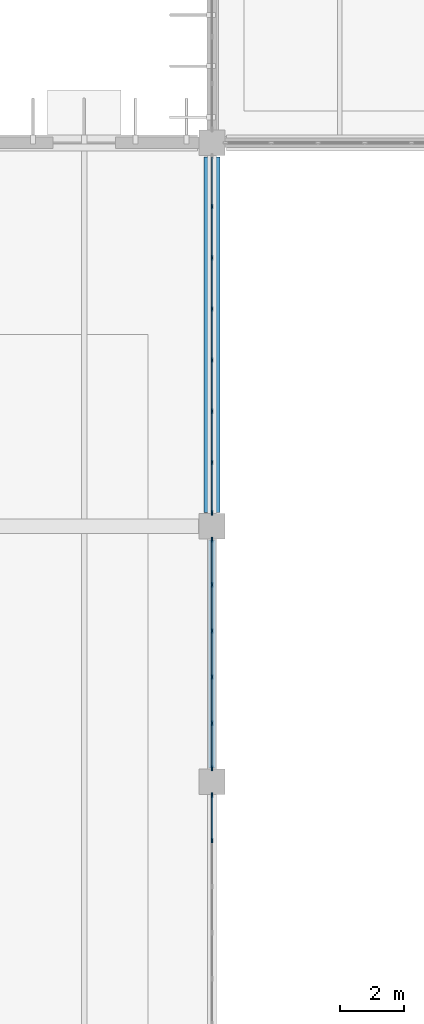
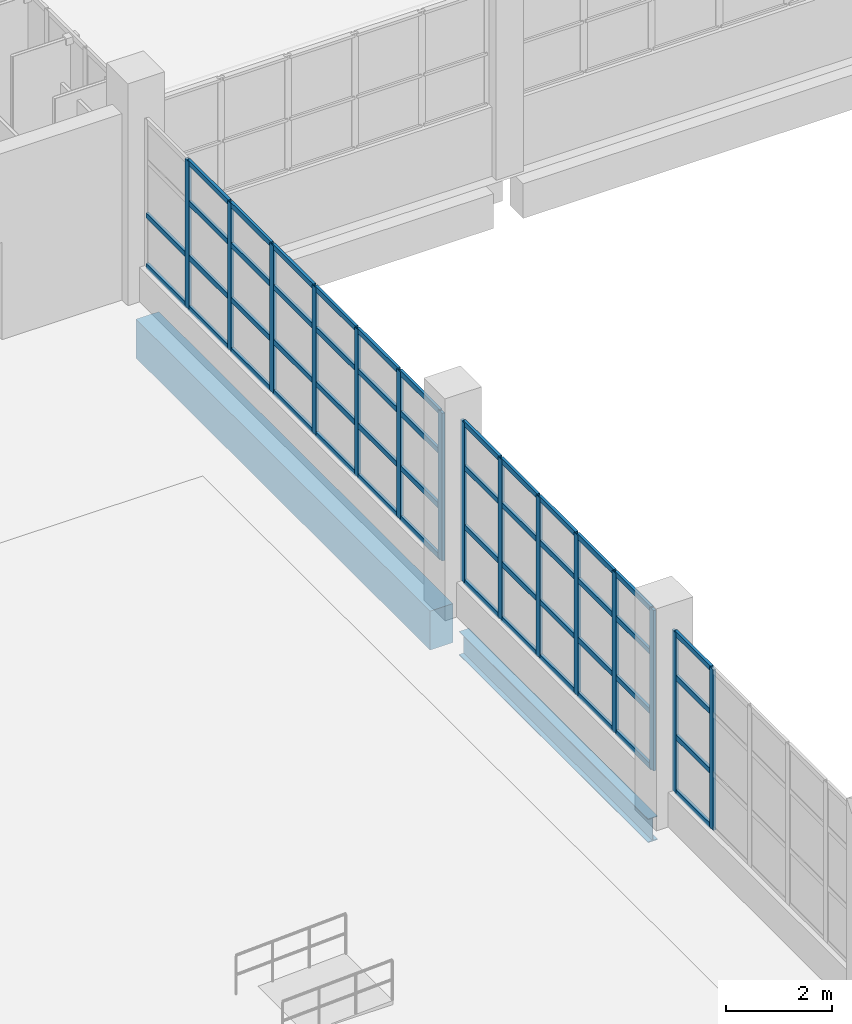
# One storey, part 33 of 103: 65 members, 2 beams, 3 elements without a shape of their own.
"""IFC4 building model written with IfcOpenShell, lengths in metres."""

from ifc_helpers import new_model, si_unit, direction, frame, origin, origin_2d, place, context, subcontext, project, spatial, rectangle, i_section, extrude, material, layer, layer_set, material_profile, profile_set, type_object, element, aggregate, save


model = new_model("IFC4")

# Units and contexts
model_context = context("Model", 3, precision=1e-05, world=origin(), true_north=direction((0.0, 1.0)))
body_context = subcontext(model_context, "Body", "Model", "MODEL_VIEW")
ifc_project = project(units=[si_unit("LENGTHUNIT", "METRE"), si_unit("AREAUNIT", "SQUARE_METRE"), si_unit("VOLUMEUNIT", "CUBIC_METRE"), si_unit("PLANEANGLEUNIT", "RADIAN"), si_unit("MASSUNIT", "GRAM", prefix="KILO")], contexts=[model_context])

# Site, building, storey
site_placement = place(None, origin())
site = spatial("IfcSite", under=ifc_project, at=site_placement, CompositionType="ELEMENT")
building_placement = place(site_placement, origin())
building = spatial("IfcBuilding", under=site, at=building_placement, Name="Drelvana Railside Aquatics Centre", CompositionType="ELEMENT")
storey_placement = place(building_placement, origin())
storey = spatial("IfcBuildingStorey", under=building, at=storey_placement, Name="L00", CompositionType="ELEMENT", Elevation=0.0)

# Curtain wall, members
ifc_material_1 = material(Name="Bronze-anodised aluminium curtain wall", Category="aluminium")
ifc_layer = layer(ifc_material_1, 0.1650390625, Name="Bronze-anodised aluminium curtain wall")
ifc_layer_set = layer_set([ifc_layer], Name="Bronze-anodised aluminium curtain wall")
curtain_wall_type = type_object("IfcCurtainWallType", Name="CW-Z5-COURT", PredefinedType="NOTDEFINED", material=ifc_layer_set)
curtain_wall_1_placement = place(storey_placement, origin())
curtain_wall_1 = element("IfcCurtainWall", 1, at=curtain_wall_1_placement, inside=storey, type_object=curtain_wall_type, Name="Curtain wall CW-05-070", PredefinedType="NOTDEFINED")
ifc_material_2 = material(Name="Bronze-anodised aluminium 6063-T6", Category="aluminium")
ifc_material_profile_1 = material_profile(ifc_material_2, rectangle(XDim=0.06005859375, YDim=0.14990234375, at=origin_2d()), Name="ALU-M 60x150")
ifc_profile_set_1 = profile_set([ifc_material_profile_1], Name="Bronze-anodised aluminium 6063-T6")
member_type_1 = type_object("IfcMemberType", Name="CW-Z5-COURT-MUL", PredefinedType="MULLION", material=ifc_profile_set_1)
member_1_placement = place(storey_placement, frame((96.0, 62.16357421875, 0.7939453125), z_axis=(0.0, 0.0, 1.0), x_axis=(-1.0, 0.0, 0.0)))
member_1 = element("IfcMember", 2, at=member_1_placement, type_object=member_type_1, Name="CW-05 mullion 5", PredefinedType="MULLION", context=body_context, shape_type="SweptSolid", body=[
    extrude(rectangle(XDim=0.06005859375, YDim=0.14990234375, at=origin_2d()), origin(), (0.0, 0.0, 1.0), 3.7060546875),
])
member_2_placement = place(storey_placement, frame((96.0, 63.575927734375, 0.7939453125), z_axis=(0.0, 0.0, 1.0), x_axis=(-1.0, 0.0, 0.0)))
member_2 = element("IfcMember", 3, at=member_2_placement, type_object=member_type_1, Name="CW-05 mullion 6", PredefinedType="MULLION", context=body_context, shape_type="SweptSolid", body=[
    extrude(rectangle(XDim=0.06005859375, YDim=0.14990234375, at=origin_2d()), origin(), (0.0, 0.0, 1.0), 3.7060546875),
])

curtain_wall_2_placement = place(storey_placement, origin())
curtain_wall_2 = element("IfcCurtainWall", 4, at=curtain_wall_2_placement, inside=storey, type_object=curtain_wall_type, Name="Curtain wall CW-05-074", PredefinedType="NOTDEFINED")
member_3_placement = place(storey_placement, frame((96.0, 64.424072265625, 0.7939453125), z_axis=(0.0, 0.0, 1.0), x_axis=(-1.0, 0.0, 0.0)))
member_3 = element("IfcMember", 5, at=member_3_placement, type_object=member_type_1, Name="CW-05 mullion 1", PredefinedType="MULLION", context=body_context, shape_type="SweptSolid", body=[
    extrude(rectangle(XDim=0.06005859375, YDim=0.14990234375, at=origin_2d()), origin(), (0.0, 0.0, 1.0), 3.7060546875),
])
member_4_placement = place(storey_placement, frame((96.0, 65.83642578125, 0.7939453125), z_axis=(0.0, 0.0, 1.0), x_axis=(-1.0, 0.0, 0.0)))
member_4 = element("IfcMember", 6, at=member_4_placement, type_object=member_type_1, Name="CW-05 mullion 2", PredefinedType="MULLION", context=body_context, shape_type="SweptSolid", body=[
    extrude(rectangle(XDim=0.06005859375, YDim=0.14990234375, at=origin_2d()), origin(), (0.0, 0.0, 1.0), 3.7060546875),
])
member_5_placement = place(storey_placement, frame((96.0, 67.27880859375, 0.7939453125), z_axis=(0.0, 0.0, 1.0), x_axis=(-1.0, 0.0, 0.0)))
member_5 = element("IfcMember", 7, at=member_5_placement, type_object=member_type_1, Name="CW-05 mullion 3", PredefinedType="MULLION", context=body_context, shape_type="SweptSolid", body=[
    extrude(rectangle(XDim=0.06005859375, YDim=0.14990234375, at=origin_2d()), origin(), (0.0, 0.0, 1.0), 3.7060546875),
])
member_6_placement = place(storey_placement, frame((96.0, 68.72119140625, 0.7939453125), z_axis=(0.0, 0.0, 1.0), x_axis=(-1.0, 0.0, 0.0)))
member_6 = element("IfcMember", 8, at=member_6_placement, type_object=member_type_1, Name="CW-05 mullion 4", PredefinedType="MULLION", context=body_context, shape_type="SweptSolid", body=[
    extrude(rectangle(XDim=0.06005859375, YDim=0.14990234375, at=origin_2d()), origin(), (0.0, 0.0, 1.0), 3.7060546875),
])
member_7_placement = place(storey_placement, frame((96.0, 70.16357421875, 0.7939453125), z_axis=(0.0, 0.0, 1.0), x_axis=(-1.0, 0.0, 0.0)))
member_7 = element("IfcMember", 9, at=member_7_placement, type_object=member_type_1, Name="CW-05 mullion 5", PredefinedType="MULLION", context=body_context, shape_type="SweptSolid", body=[
    extrude(rectangle(XDim=0.06005859375, YDim=0.14990234375, at=origin_2d()), origin(), (0.0, 0.0, 1.0), 3.7060546875),
])
member_8_placement = place(storey_placement, frame((96.0, 71.575927734375, 0.7939453125), z_axis=(0.0, 0.0, 1.0), x_axis=(-1.0, 0.0, 0.0)))
member_8 = element("IfcMember", 10, at=member_8_placement, type_object=member_type_1, Name="CW-05 mullion 6", PredefinedType="MULLION", context=body_context, shape_type="SweptSolid", body=[
    extrude(rectangle(XDim=0.06005859375, YDim=0.14990234375, at=origin_2d()), origin(), (0.0, 0.0, 1.0), 3.7060546875),
])

curtain_wall_3_placement = place(storey_placement, origin())
curtain_wall_3 = element("IfcCurtainWall", 11, at=curtain_wall_3_placement, inside=storey, type_object=curtain_wall_type, Name="Curtain wall CW-05-078", PredefinedType="NOTDEFINED")
member_9_placement = place(storey_placement, frame((96.0, 72.424072265625, 0.7939453125), z_axis=(0.0, 0.0, 1.0), x_axis=(-1.0, 0.0, 0.0)))
member_9 = element("IfcMember", 12, at=member_9_placement, type_object=member_type_1, Name="CW-05 mullion 1", PredefinedType="MULLION", context=body_context, shape_type="SweptSolid", body=[
    extrude(rectangle(XDim=0.06005859375, YDim=0.14990234375, at=origin_2d()), origin(), (0.0, 0.0, 1.0), 3.4111328125),
])
member_10_placement = place(storey_placement, frame((96.0, 73.99560546875, 0.7939453125), z_axis=(0.0, 0.0, 1.0), x_axis=(-1.0, 0.0, 0.0)))
member_10 = element("IfcMember", 13, at=member_10_placement, type_object=member_type_1, Name="CW-05 mullion 2", PredefinedType="MULLION", context=body_context, shape_type="SweptSolid", body=[
    extrude(rectangle(XDim=0.06005859375, YDim=0.14990234375, at=origin_2d()), origin(), (0.0, 0.0, 1.0), 3.4111328125),
])
member_11_placement = place(storey_placement, frame((96.0, 75.597412109375, 0.7939453125), z_axis=(0.0, 0.0, 1.0), x_axis=(-1.0, 0.0, 0.0)))
member_11 = element("IfcMember", 14, at=member_11_placement, type_object=member_type_1, Name="CW-05 mullion 3", PredefinedType="MULLION", context=body_context, shape_type="SweptSolid", body=[
    extrude(rectangle(XDim=0.06005859375, YDim=0.14990234375, at=origin_2d()), origin(), (0.0, 0.0, 1.0), 3.4111328125),
])
member_12_placement = place(storey_placement, frame((96.0, 77.19921875, 0.7939453125), z_axis=(0.0, 0.0, 1.0), x_axis=(-1.0, 0.0, 0.0)))
member_12 = element("IfcMember", 15, at=member_12_placement, type_object=member_type_1, Name="CW-05 mullion 4", PredefinedType="MULLION", context=body_context, shape_type="SweptSolid", body=[
    extrude(rectangle(XDim=0.06005859375, YDim=0.14990234375, at=origin_2d()), origin(), (0.0, 0.0, 1.0), 3.4111328125),
])
member_13_placement = place(storey_placement, frame((96.0, 78.80078125, 0.7939453125), z_axis=(0.0, 0.0, 1.0), x_axis=(-1.0, 0.0, 0.0)))
member_13 = element("IfcMember", 16, at=member_13_placement, type_object=member_type_1, Name="CW-05 mullion 5", PredefinedType="MULLION", context=body_context, shape_type="SweptSolid", body=[
    extrude(rectangle(XDim=0.06005859375, YDim=0.14990234375, at=origin_2d()), origin(), (0.0, 0.0, 1.0), 3.4111328125),
])
member_14_placement = place(storey_placement, frame((96.0, 80.402587890625, 0.7939453125), z_axis=(0.0, 0.0, 1.0), x_axis=(-1.0, 0.0, 0.0)))
member_14 = element("IfcMember", 17, at=member_14_placement, type_object=member_type_1, Name="CW-05 mullion 6", PredefinedType="MULLION", context=body_context, shape_type="SweptSolid", body=[
    extrude(rectangle(XDim=0.06005859375, YDim=0.14990234375, at=origin_2d()), origin(), (0.0, 0.0, 1.0), 3.4111328125),
])
member_15_placement = place(storey_placement, frame((96.0, 82.00439453125, 0.7939453125), z_axis=(0.0, 0.0, 1.0), x_axis=(-1.0, 0.0, 0.0)))
member_15 = element("IfcMember", 18, at=member_15_placement, type_object=member_type_1, Name="CW-05 mullion 7", PredefinedType="MULLION", context=body_context, shape_type="SweptSolid", body=[
    extrude(rectangle(XDim=0.06005859375, YDim=0.14990234375, at=origin_2d()), origin(), (0.0, 0.0, 1.0), 3.4111328125),
])

# Member
ifc_material_profile_2 = material_profile(ifc_material_2, rectangle(XDim=0.1201171875, YDim=0.06005859375, at=origin_2d()), Name="ALU-T 60x120")
ifc_profile_set_2 = profile_set([ifc_material_profile_2], Name="Bronze-anodised aluminium 6063-T6")
member_type_2 = type_object("IfcMemberType", Name="CW-Z5-COURT-TRN", PredefinedType="USERDEFINED", material=ifc_profile_set_2)
member_16_placement = place(storey_placement, frame((96.0, 62.188720703125, 0.823974609375), z_axis=(0.0, 1.0, 0.0), x_axis=(0.0, 0.0, 1.0)))
member_16 = element("IfcMember", 19, at=member_16_placement, type_object=member_type_2, Name="CW-05 transom 5.1", ObjectType="TRANSOM", PredefinedType="USERDEFINED", context=body_context, shape_type="SweptSolid", body=[
    extrude(rectangle(XDim=0.1201171875, YDim=0.06005859375, at=origin_2d()), origin(), (0.0, 0.0, 1.0), 1.3623046875),
])

member_17_placement = place(storey_placement, frame((96.0, 62.188720703125, 2.091064453125), z_axis=(0.0, 1.0, 0.0), x_axis=(0.0, 0.0, 1.0)))
member_17 = element("IfcMember", 20, at=member_17_placement, type_object=member_type_2, Name="CW-05 transom 5.2", ObjectType="TRANSOM", PredefinedType="USERDEFINED", context=body_context, shape_type="SweptSolid", body=[
    extrude(rectangle(XDim=0.1201171875, YDim=0.06005859375, at=origin_2d()), origin(), (0.0, 0.0, 1.0), 1.3623046875),
])

member_18_placement = place(storey_placement, frame((96.0, 62.188720703125, 3.4619140625), z_axis=(0.0, 1.0, 0.0), x_axis=(0.0, 0.0, 1.0)))
member_18 = element("IfcMember", 21, at=member_18_placement, type_object=member_type_2, Name="CW-05 transom 5.3", ObjectType="TRANSOM", PredefinedType="USERDEFINED", context=body_context, shape_type="SweptSolid", body=[
    extrude(rectangle(XDim=0.1201171875, YDim=0.06005859375, at=origin_2d()), origin(), (0.0, 0.0, 1.0), 1.3623046875),
])

member_19_placement = place(storey_placement, frame((96.0, 62.188720703125, 4.469970703125), z_axis=(0.0, 1.0, 0.0), x_axis=(0.0, 0.0, 1.0)))
member_19 = element("IfcMember", 22, at=member_19_placement, type_object=member_type_2, Name="CW-05 transom 5.4", ObjectType="TRANSOM", PredefinedType="USERDEFINED", context=body_context, shape_type="SweptSolid", body=[
    extrude(rectangle(XDim=0.1201171875, YDim=0.06005859375, at=origin_2d()), origin(), (0.0, 0.0, 1.0), 1.3623046875),
])

aggregate(curtain_wall_1, [member_1, member_2, member_16, member_17, member_18, member_19])

member_20_placement = place(storey_placement, frame((96.0, 64.448974609375, 0.823974609375), z_axis=(0.0, 1.0, 0.0), x_axis=(0.0, 0.0, 1.0)))
member_20 = element("IfcMember", 23, at=member_20_placement, type_object=member_type_2, Name="CW-05 transom 1.1", ObjectType="TRANSOM", PredefinedType="USERDEFINED", context=body_context, shape_type="SweptSolid", body=[
    extrude(rectangle(XDim=0.1201171875, YDim=0.06005859375, at=origin_2d()), origin(), (0.0, 0.0, 1.0), 1.3623046875),
])

member_21_placement = place(storey_placement, frame((96.0, 64.448974609375, 2.091064453125), z_axis=(0.0, 1.0, 0.0), x_axis=(0.0, 0.0, 1.0)))
member_21 = element("IfcMember", 24, at=member_21_placement, type_object=member_type_2, Name="CW-05 transom 1.2", ObjectType="TRANSOM", PredefinedType="USERDEFINED", context=body_context, shape_type="SweptSolid", body=[
    extrude(rectangle(XDim=0.1201171875, YDim=0.06005859375, at=origin_2d()), origin(), (0.0, 0.0, 1.0), 1.3623046875),
])

member_22_placement = place(storey_placement, frame((96.0, 64.448974609375, 3.4619140625), z_axis=(0.0, 1.0, 0.0), x_axis=(0.0, 0.0, 1.0)))
member_22 = element("IfcMember", 25, at=member_22_placement, type_object=member_type_2, Name="CW-05 transom 1.3", ObjectType="TRANSOM", PredefinedType="USERDEFINED", context=body_context, shape_type="SweptSolid", body=[
    extrude(rectangle(XDim=0.1201171875, YDim=0.06005859375, at=origin_2d()), origin(), (0.0, 0.0, 1.0), 1.3623046875),
])

member_23_placement = place(storey_placement, frame((96.0, 64.448974609375, 4.469970703125), z_axis=(0.0, 1.0, 0.0), x_axis=(0.0, 0.0, 1.0)))
member_23 = element("IfcMember", 26, at=member_23_placement, type_object=member_type_2, Name="CW-05 transom 1.4", ObjectType="TRANSOM", PredefinedType="USERDEFINED", context=body_context, shape_type="SweptSolid", body=[
    extrude(rectangle(XDim=0.1201171875, YDim=0.06005859375, at=origin_2d()), origin(), (0.0, 0.0, 1.0), 1.3623046875),
])

member_24_placement = place(storey_placement, frame((96.0, 65.861328125, 0.823974609375), z_axis=(0.0, 1.0, 0.0), x_axis=(0.0, 0.0, 1.0)))
member_24 = element("IfcMember", 27, at=member_24_placement, type_object=member_type_2, Name="CW-05 transom 2.1", ObjectType="TRANSOM", PredefinedType="USERDEFINED", context=body_context, shape_type="SweptSolid", body=[
    extrude(rectangle(XDim=0.1201171875, YDim=0.06005859375, at=origin_2d()), origin(), (0.0, 0.0, 1.0), 1.392578125),
])

member_25_placement = place(storey_placement, frame((96.0, 65.861328125, 2.091064453125), z_axis=(0.0, 1.0, 0.0), x_axis=(0.0, 0.0, 1.0)))
member_25 = element("IfcMember", 28, at=member_25_placement, type_object=member_type_2, Name="CW-05 transom 2.2", ObjectType="TRANSOM", PredefinedType="USERDEFINED", context=body_context, shape_type="SweptSolid", body=[
    extrude(rectangle(XDim=0.1201171875, YDim=0.06005859375, at=origin_2d()), origin(), (0.0, 0.0, 1.0), 1.392578125),
])

member_26_placement = place(storey_placement, frame((96.0, 65.861328125, 3.4619140625), z_axis=(0.0, 1.0, 0.0), x_axis=(0.0, 0.0, 1.0)))
member_26 = element("IfcMember", 29, at=member_26_placement, type_object=member_type_2, Name="CW-05 transom 2.3", ObjectType="TRANSOM", PredefinedType="USERDEFINED", context=body_context, shape_type="SweptSolid", body=[
    extrude(rectangle(XDim=0.1201171875, YDim=0.06005859375, at=origin_2d()), origin(), (0.0, 0.0, 1.0), 1.392578125),
])

member_27_placement = place(storey_placement, frame((96.0, 65.861328125, 4.469970703125), z_axis=(0.0, 1.0, 0.0), x_axis=(0.0, 0.0, 1.0)))
member_27 = element("IfcMember", 30, at=member_27_placement, type_object=member_type_2, Name="CW-05 transom 2.4", ObjectType="TRANSOM", PredefinedType="USERDEFINED", context=body_context, shape_type="SweptSolid", body=[
    extrude(rectangle(XDim=0.1201171875, YDim=0.06005859375, at=origin_2d()), origin(), (0.0, 0.0, 1.0), 1.392578125),
])

member_28_placement = place(storey_placement, frame((96.0, 67.3037109375, 0.823974609375), z_axis=(0.0, 1.0, 0.0), x_axis=(0.0, 0.0, 1.0)))
member_28 = element("IfcMember", 31, at=member_28_placement, type_object=member_type_2, Name="CW-05 transom 3.1", ObjectType="TRANSOM", PredefinedType="USERDEFINED", context=body_context, shape_type="SweptSolid", body=[
    extrude(rectangle(XDim=0.1201171875, YDim=0.06005859375, at=origin_2d()), origin(), (0.0, 0.0, 1.0), 1.392578125),
])

member_29_placement = place(storey_placement, frame((96.0, 67.3037109375, 2.091064453125), z_axis=(0.0, 1.0, 0.0), x_axis=(0.0, 0.0, 1.0)))
member_29 = element("IfcMember", 32, at=member_29_placement, type_object=member_type_2, Name="CW-05 transom 3.2", ObjectType="TRANSOM", PredefinedType="USERDEFINED", context=body_context, shape_type="SweptSolid", body=[
    extrude(rectangle(XDim=0.1201171875, YDim=0.06005859375, at=origin_2d()), origin(), (0.0, 0.0, 1.0), 1.392578125),
])

member_30_placement = place(storey_placement, frame((96.0, 67.3037109375, 3.4619140625), z_axis=(0.0, 1.0, 0.0), x_axis=(0.0, 0.0, 1.0)))
member_30 = element("IfcMember", 33, at=member_30_placement, type_object=member_type_2, Name="CW-05 transom 3.3", ObjectType="TRANSOM", PredefinedType="USERDEFINED", context=body_context, shape_type="SweptSolid", body=[
    extrude(rectangle(XDim=0.1201171875, YDim=0.06005859375, at=origin_2d()), origin(), (0.0, 0.0, 1.0), 1.392578125),
])

member_31_placement = place(storey_placement, frame((96.0, 67.3037109375, 4.469970703125), z_axis=(0.0, 1.0, 0.0), x_axis=(0.0, 0.0, 1.0)))
member_31 = element("IfcMember", 34, at=member_31_placement, type_object=member_type_2, Name="CW-05 transom 3.4", ObjectType="TRANSOM", PredefinedType="USERDEFINED", context=body_context, shape_type="SweptSolid", body=[
    extrude(rectangle(XDim=0.1201171875, YDim=0.06005859375, at=origin_2d()), origin(), (0.0, 0.0, 1.0), 1.392578125),
])

member_32_placement = place(storey_placement, frame((96.0, 68.74609375, 0.823974609375), z_axis=(0.0, 1.0, 0.0), x_axis=(0.0, 0.0, 1.0)))
member_32 = element("IfcMember", 35, at=member_32_placement, type_object=member_type_2, Name="CW-05 transom 4.1", ObjectType="TRANSOM", PredefinedType="USERDEFINED", context=body_context, shape_type="SweptSolid", body=[
    extrude(rectangle(XDim=0.1201171875, YDim=0.06005859375, at=origin_2d()), origin(), (0.0, 0.0, 1.0), 1.392578125),
])

member_33_placement = place(storey_placement, frame((96.0, 68.74609375, 2.091064453125), z_axis=(0.0, 1.0, 0.0), x_axis=(0.0, 0.0, 1.0)))
member_33 = element("IfcMember", 36, at=member_33_placement, type_object=member_type_2, Name="CW-05 transom 4.2", ObjectType="TRANSOM", PredefinedType="USERDEFINED", context=body_context, shape_type="SweptSolid", body=[
    extrude(rectangle(XDim=0.1201171875, YDim=0.06005859375, at=origin_2d()), origin(), (0.0, 0.0, 1.0), 1.392578125),
])

member_34_placement = place(storey_placement, frame((96.0, 68.74609375, 3.4619140625), z_axis=(0.0, 1.0, 0.0), x_axis=(0.0, 0.0, 1.0)))
member_34 = element("IfcMember", 37, at=member_34_placement, type_object=member_type_2, Name="CW-05 transom 4.3", ObjectType="TRANSOM", PredefinedType="USERDEFINED", context=body_context, shape_type="SweptSolid", body=[
    extrude(rectangle(XDim=0.1201171875, YDim=0.06005859375, at=origin_2d()), origin(), (0.0, 0.0, 1.0), 1.392578125),
])

member_35_placement = place(storey_placement, frame((96.0, 68.74609375, 4.469970703125), z_axis=(0.0, 1.0, 0.0), x_axis=(0.0, 0.0, 1.0)))
member_35 = element("IfcMember", 38, at=member_35_placement, type_object=member_type_2, Name="CW-05 transom 4.4", ObjectType="TRANSOM", PredefinedType="USERDEFINED", context=body_context, shape_type="SweptSolid", body=[
    extrude(rectangle(XDim=0.1201171875, YDim=0.06005859375, at=origin_2d()), origin(), (0.0, 0.0, 1.0), 1.392578125),
])

member_36_placement = place(storey_placement, frame((96.0, 70.188720703125, 0.823974609375), z_axis=(0.0, 1.0, 0.0), x_axis=(0.0, 0.0, 1.0)))
member_36 = element("IfcMember", 39, at=member_36_placement, type_object=member_type_2, Name="CW-05 transom 5.1", ObjectType="TRANSOM", PredefinedType="USERDEFINED", context=body_context, shape_type="SweptSolid", body=[
    extrude(rectangle(XDim=0.1201171875, YDim=0.06005859375, at=origin_2d()), origin(), (0.0, 0.0, 1.0), 1.3623046875),
])

member_37_placement = place(storey_placement, frame((96.0, 70.188720703125, 2.091064453125), z_axis=(0.0, 1.0, 0.0), x_axis=(0.0, 0.0, 1.0)))
member_37 = element("IfcMember", 40, at=member_37_placement, type_object=member_type_2, Name="CW-05 transom 5.2", ObjectType="TRANSOM", PredefinedType="USERDEFINED", context=body_context, shape_type="SweptSolid", body=[
    extrude(rectangle(XDim=0.1201171875, YDim=0.06005859375, at=origin_2d()), origin(), (0.0, 0.0, 1.0), 1.3623046875),
])

member_38_placement = place(storey_placement, frame((96.0, 70.188720703125, 3.4619140625), z_axis=(0.0, 1.0, 0.0), x_axis=(0.0, 0.0, 1.0)))
member_38 = element("IfcMember", 41, at=member_38_placement, type_object=member_type_2, Name="CW-05 transom 5.3", ObjectType="TRANSOM", PredefinedType="USERDEFINED", context=body_context, shape_type="SweptSolid", body=[
    extrude(rectangle(XDim=0.1201171875, YDim=0.06005859375, at=origin_2d()), origin(), (0.0, 0.0, 1.0), 1.3623046875),
])

member_39_placement = place(storey_placement, frame((96.0, 70.188720703125, 4.469970703125), z_axis=(0.0, 1.0, 0.0), x_axis=(0.0, 0.0, 1.0)))
member_39 = element("IfcMember", 42, at=member_39_placement, type_object=member_type_2, Name="CW-05 transom 5.4", ObjectType="TRANSOM", PredefinedType="USERDEFINED", context=body_context, shape_type="SweptSolid", body=[
    extrude(rectangle(XDim=0.1201171875, YDim=0.06005859375, at=origin_2d()), origin(), (0.0, 0.0, 1.0), 1.3623046875),
])

aggregate(curtain_wall_2, [member_3, member_4, member_5, member_6, member_7, member_8, member_20, member_21, member_22, member_23, member_24, member_25, member_26, member_27, member_28, member_29, member_30, member_31, member_32, member_33, member_34, member_35, member_36, member_37, member_38, member_39])

member_40_placement = place(storey_placement, frame((96.0, 72.448974609375, 0.823974609375), z_axis=(0.0, 1.0, 0.0), x_axis=(0.0, 0.0, 1.0)))
member_40 = element("IfcMember", 43, at=member_40_placement, type_object=member_type_2, Name="CW-05 transom 1.1", ObjectType="TRANSOM", PredefinedType="USERDEFINED", context=body_context, shape_type="SweptSolid", body=[
    extrude(rectangle(XDim=0.1201171875, YDim=0.06005859375, at=origin_2d()), origin(), (0.0, 0.0, 1.0), 1.521728515625),
])

member_41_placement = place(storey_placement, frame((96.0, 72.448974609375, 1.988037109375), z_axis=(0.0, 1.0, 0.0), x_axis=(0.0, 0.0, 1.0)))
member_41 = element("IfcMember", 44, at=member_41_placement, type_object=member_type_2, Name="CW-05 transom 1.2", ObjectType="TRANSOM", PredefinedType="USERDEFINED", context=body_context, shape_type="SweptSolid", body=[
    extrude(rectangle(XDim=0.1201171875, YDim=0.06005859375, at=origin_2d()), origin(), (0.0, 0.0, 1.0), 1.521728515625),
])

member_42_placement = place(storey_placement, frame((96.0, 72.448974609375, 3.25), z_axis=(0.0, 1.0, 0.0), x_axis=(0.0, 0.0, 1.0)))
member_42 = element("IfcMember", 45, at=member_42_placement, type_object=member_type_2, Name="CW-05 transom 1.3", ObjectType="TRANSOM", PredefinedType="USERDEFINED", context=body_context, shape_type="SweptSolid", body=[
    extrude(rectangle(XDim=0.1201171875, YDim=0.06005859375, at=origin_2d()), origin(), (0.0, 0.0, 1.0), 1.521728515625),
])

member_43_placement = place(storey_placement, frame((96.0, 72.448974609375, 4.175048828125), z_axis=(0.0, 1.0, 0.0), x_axis=(0.0, 0.0, 1.0)))
member_43 = element("IfcMember", 46, at=member_43_placement, type_object=member_type_2, Name="CW-05 transom 1.4", ObjectType="TRANSOM", PredefinedType="USERDEFINED", context=body_context, shape_type="SweptSolid", body=[
    extrude(rectangle(XDim=0.1201171875, YDim=0.06005859375, at=origin_2d()), origin(), (0.0, 0.0, 1.0), 1.521728515625),
])

member_44_placement = place(storey_placement, frame((96.0, 74.020751953125, 0.823974609375), z_axis=(0.0, 1.0, 0.0), x_axis=(0.0, 0.0, 1.0)))
member_44 = element("IfcMember", 47, at=member_44_placement, type_object=member_type_2, Name="CW-05 transom 2.1", ObjectType="TRANSOM", PredefinedType="USERDEFINED", context=body_context, shape_type="SweptSolid", body=[
    extrude(rectangle(XDim=0.1201171875, YDim=0.06005859375, at=origin_2d()), origin(), (0.0, 0.0, 1.0), 1.5517578125),
])

member_45_placement = place(storey_placement, frame((96.0, 74.020751953125, 1.988037109375), z_axis=(0.0, 1.0, 0.0), x_axis=(0.0, 0.0, 1.0)))
member_45 = element("IfcMember", 48, at=member_45_placement, type_object=member_type_2, Name="CW-05 transom 2.2", ObjectType="TRANSOM", PredefinedType="USERDEFINED", context=body_context, shape_type="SweptSolid", body=[
    extrude(rectangle(XDim=0.1201171875, YDim=0.06005859375, at=origin_2d()), origin(), (0.0, 0.0, 1.0), 1.5517578125),
])

member_46_placement = place(storey_placement, frame((96.0, 74.020751953125, 3.25), z_axis=(0.0, 1.0, 0.0), x_axis=(0.0, 0.0, 1.0)))
member_46 = element("IfcMember", 49, at=member_46_placement, type_object=member_type_2, Name="CW-05 transom 2.3", ObjectType="TRANSOM", PredefinedType="USERDEFINED", context=body_context, shape_type="SweptSolid", body=[
    extrude(rectangle(XDim=0.1201171875, YDim=0.06005859375, at=origin_2d()), origin(), (0.0, 0.0, 1.0), 1.5517578125),
])

member_47_placement = place(storey_placement, frame((96.0, 74.020751953125, 4.175048828125), z_axis=(0.0, 1.0, 0.0), x_axis=(0.0, 0.0, 1.0)))
member_47 = element("IfcMember", 50, at=member_47_placement, type_object=member_type_2, Name="CW-05 transom 2.4", ObjectType="TRANSOM", PredefinedType="USERDEFINED", context=body_context, shape_type="SweptSolid", body=[
    extrude(rectangle(XDim=0.1201171875, YDim=0.06005859375, at=origin_2d()), origin(), (0.0, 0.0, 1.0), 1.5517578125),
])

member_48_placement = place(storey_placement, frame((96.0, 75.622314453125, 0.823974609375), z_axis=(0.0, 1.0, 0.0), x_axis=(0.0, 0.0, 1.0)))
member_48 = element("IfcMember", 51, at=member_48_placement, type_object=member_type_2, Name="CW-05 transom 3.1", ObjectType="TRANSOM", PredefinedType="USERDEFINED", context=body_context, shape_type="SweptSolid", body=[
    extrude(rectangle(XDim=0.1201171875, YDim=0.06005859375, at=origin_2d()), origin(), (0.0, 0.0, 1.0), 1.5517578125),
])

member_49_placement = place(storey_placement, frame((96.0, 75.622314453125, 1.988037109375), z_axis=(0.0, 1.0, 0.0), x_axis=(0.0, 0.0, 1.0)))
member_49 = element("IfcMember", 52, at=member_49_placement, type_object=member_type_2, Name="CW-05 transom 3.2", ObjectType="TRANSOM", PredefinedType="USERDEFINED", context=body_context, shape_type="SweptSolid", body=[
    extrude(rectangle(XDim=0.1201171875, YDim=0.06005859375, at=origin_2d()), origin(), (0.0, 0.0, 1.0), 1.5517578125),
])

member_50_placement = place(storey_placement, frame((96.0, 75.622314453125, 3.25), z_axis=(0.0, 1.0, 0.0), x_axis=(0.0, 0.0, 1.0)))
member_50 = element("IfcMember", 53, at=member_50_placement, type_object=member_type_2, Name="CW-05 transom 3.3", ObjectType="TRANSOM", PredefinedType="USERDEFINED", context=body_context, shape_type="SweptSolid", body=[
    extrude(rectangle(XDim=0.1201171875, YDim=0.06005859375, at=origin_2d()), origin(), (0.0, 0.0, 1.0), 1.5517578125),
])

member_51_placement = place(storey_placement, frame((96.0, 75.622314453125, 4.175048828125), z_axis=(0.0, 1.0, 0.0), x_axis=(0.0, 0.0, 1.0)))
member_51 = element("IfcMember", 54, at=member_51_placement, type_object=member_type_2, Name="CW-05 transom 3.4", ObjectType="TRANSOM", PredefinedType="USERDEFINED", context=body_context, shape_type="SweptSolid", body=[
    extrude(rectangle(XDim=0.1201171875, YDim=0.06005859375, at=origin_2d()), origin(), (0.0, 0.0, 1.0), 1.5517578125),
])

member_52_placement = place(storey_placement, frame((96.0, 77.22412109375, 0.823974609375), z_axis=(0.0, 1.0, 0.0), x_axis=(0.0, 0.0, 1.0)))
member_52 = element("IfcMember", 55, at=member_52_placement, type_object=member_type_2, Name="CW-05 transom 4.1", ObjectType="TRANSOM", PredefinedType="USERDEFINED", context=body_context, shape_type="SweptSolid", body=[
    extrude(rectangle(XDim=0.1201171875, YDim=0.06005859375, at=origin_2d()), origin(), (0.0, 0.0, 1.0), 1.5517578125),
])

member_53_placement = place(storey_placement, frame((96.0, 77.22412109375, 1.988037109375), z_axis=(0.0, 1.0, 0.0), x_axis=(0.0, 0.0, 1.0)))
member_53 = element("IfcMember", 56, at=member_53_placement, type_object=member_type_2, Name="CW-05 transom 4.2", ObjectType="TRANSOM", PredefinedType="USERDEFINED", context=body_context, shape_type="SweptSolid", body=[
    extrude(rectangle(XDim=0.1201171875, YDim=0.06005859375, at=origin_2d()), origin(), (0.0, 0.0, 1.0), 1.5517578125),
])

member_54_placement = place(storey_placement, frame((96.0, 77.22412109375, 3.25), z_axis=(0.0, 1.0, 0.0), x_axis=(0.0, 0.0, 1.0)))
member_54 = element("IfcMember", 57, at=member_54_placement, type_object=member_type_2, Name="CW-05 transom 4.3", ObjectType="TRANSOM", PredefinedType="USERDEFINED", context=body_context, shape_type="SweptSolid", body=[
    extrude(rectangle(XDim=0.1201171875, YDim=0.06005859375, at=origin_2d()), origin(), (0.0, 0.0, 1.0), 1.5517578125),
])

member_55_placement = place(storey_placement, frame((96.0, 77.22412109375, 4.175048828125), z_axis=(0.0, 1.0, 0.0), x_axis=(0.0, 0.0, 1.0)))
member_55 = element("IfcMember", 58, at=member_55_placement, type_object=member_type_2, Name="CW-05 transom 4.4", ObjectType="TRANSOM", PredefinedType="USERDEFINED", context=body_context, shape_type="SweptSolid", body=[
    extrude(rectangle(XDim=0.1201171875, YDim=0.06005859375, at=origin_2d()), origin(), (0.0, 0.0, 1.0), 1.5517578125),
])

member_56_placement = place(storey_placement, frame((96.0, 78.825927734375, 0.823974609375), z_axis=(0.0, 1.0, 0.0), x_axis=(0.0, 0.0, 1.0)))
member_56 = element("IfcMember", 59, at=member_56_placement, type_object=member_type_2, Name="CW-05 transom 5.1", ObjectType="TRANSOM", PredefinedType="USERDEFINED", context=body_context, shape_type="SweptSolid", body=[
    extrude(rectangle(XDim=0.1201171875, YDim=0.06005859375, at=origin_2d()), origin(), (0.0, 0.0, 1.0), 1.5517578125),
])

member_57_placement = place(storey_placement, frame((96.0, 78.825927734375, 1.988037109375), z_axis=(0.0, 1.0, 0.0), x_axis=(0.0, 0.0, 1.0)))
member_57 = element("IfcMember", 60, at=member_57_placement, type_object=member_type_2, Name="CW-05 transom 5.2", ObjectType="TRANSOM", PredefinedType="USERDEFINED", context=body_context, shape_type="SweptSolid", body=[
    extrude(rectangle(XDim=0.1201171875, YDim=0.06005859375, at=origin_2d()), origin(), (0.0, 0.0, 1.0), 1.5517578125),
])

member_58_placement = place(storey_placement, frame((96.0, 78.825927734375, 3.25), z_axis=(0.0, 1.0, 0.0), x_axis=(0.0, 0.0, 1.0)))
member_58 = element("IfcMember", 61, at=member_58_placement, type_object=member_type_2, Name="CW-05 transom 5.3", ObjectType="TRANSOM", PredefinedType="USERDEFINED", context=body_context, shape_type="SweptSolid", body=[
    extrude(rectangle(XDim=0.1201171875, YDim=0.06005859375, at=origin_2d()), origin(), (0.0, 0.0, 1.0), 1.5517578125),
])

member_59_placement = place(storey_placement, frame((96.0, 78.825927734375, 4.175048828125), z_axis=(0.0, 1.0, 0.0), x_axis=(0.0, 0.0, 1.0)))
member_59 = element("IfcMember", 62, at=member_59_placement, type_object=member_type_2, Name="CW-05 transom 5.4", ObjectType="TRANSOM", PredefinedType="USERDEFINED", context=body_context, shape_type="SweptSolid", body=[
    extrude(rectangle(XDim=0.1201171875, YDim=0.06005859375, at=origin_2d()), origin(), (0.0, 0.0, 1.0), 1.5517578125),
])

member_60_placement = place(storey_placement, frame((96.0, 80.427490234375, 0.823974609375), z_axis=(0.0, 1.0, 0.0), x_axis=(0.0, 0.0, 1.0)))
member_60 = element("IfcMember", 63, at=member_60_placement, type_object=member_type_2, Name="CW-05 transom 6.1", ObjectType="TRANSOM", PredefinedType="USERDEFINED", context=body_context, shape_type="SweptSolid", body=[
    extrude(rectangle(XDim=0.1201171875, YDim=0.06005859375, at=origin_2d()), origin(), (0.0, 0.0, 1.0), 1.5517578125),
])

member_61_placement = place(storey_placement, frame((96.0, 80.427490234375, 1.988037109375), z_axis=(0.0, 1.0, 0.0), x_axis=(0.0, 0.0, 1.0)))
member_61 = element("IfcMember", 64, at=member_61_placement, type_object=member_type_2, Name="CW-05 transom 6.2", ObjectType="TRANSOM", PredefinedType="USERDEFINED", context=body_context, shape_type="SweptSolid", body=[
    extrude(rectangle(XDim=0.1201171875, YDim=0.06005859375, at=origin_2d()), origin(), (0.0, 0.0, 1.0), 1.5517578125),
])

member_62_placement = place(storey_placement, frame((96.0, 80.427490234375, 3.25), z_axis=(0.0, 1.0, 0.0), x_axis=(0.0, 0.0, 1.0)))
member_62 = element("IfcMember", 65, at=member_62_placement, type_object=member_type_2, Name="CW-05 transom 6.3", ObjectType="TRANSOM", PredefinedType="USERDEFINED", context=body_context, shape_type="SweptSolid", body=[
    extrude(rectangle(XDim=0.1201171875, YDim=0.06005859375, at=origin_2d()), origin(), (0.0, 0.0, 1.0), 1.5517578125),
])

member_63_placement = place(storey_placement, frame((96.0, 80.427490234375, 4.175048828125), z_axis=(0.0, 1.0, 0.0), x_axis=(0.0, 0.0, 1.0)))
member_63 = element("IfcMember", 66, at=member_63_placement, type_object=member_type_2, Name="CW-05 transom 6.4", ObjectType="TRANSOM", PredefinedType="USERDEFINED", context=body_context, shape_type="SweptSolid", body=[
    extrude(rectangle(XDim=0.1201171875, YDim=0.06005859375, at=origin_2d()), origin(), (0.0, 0.0, 1.0), 1.5517578125),
])

member_64_placement = place(storey_placement, frame((96.0, 82.029296875, 0.823974609375), z_axis=(0.0, 1.0, 0.0), x_axis=(0.0, 0.0, 1.0)))
member_64 = element("IfcMember", 67, at=member_64_placement, type_object=member_type_2, Name="CW-05 transom 7.1", ObjectType="TRANSOM", PredefinedType="USERDEFINED", context=body_context, shape_type="SweptSolid", body=[
    extrude(rectangle(XDim=0.1201171875, YDim=0.06005859375, at=origin_2d()), origin(), (0.0, 0.0, 1.0), 1.521728515625),
])

member_65_placement = place(storey_placement, frame((96.0, 82.029296875, 1.988037109375), z_axis=(0.0, 1.0, 0.0), x_axis=(0.0, 0.0, 1.0)))
member_65 = element("IfcMember", 68, at=member_65_placement, type_object=member_type_2, Name="CW-05 transom 7.2", ObjectType="TRANSOM", PredefinedType="USERDEFINED", context=body_context, shape_type="SweptSolid", body=[
    extrude(rectangle(XDim=0.1201171875, YDim=0.06005859375, at=origin_2d()), origin(), (0.0, 0.0, 1.0), 1.521728515625),
])

aggregate(curtain_wall_3, [member_9, member_10, member_11, member_12, member_13, member_14, member_15, member_40, member_41, member_42, member_43, member_44, member_45, member_46, member_47, member_48, member_49, member_50, member_51, member_52, member_53, member_54, member_55, member_56, member_57, member_58, member_59, member_60, member_61, member_62, member_63, member_64, member_65])

# Beams
ifc_material_3 = material(Name="Concrete C40/50", Category="concrete")
ifc_material_profile_3 = material_profile(ifc_material_3, rectangle(XDim=0.5, YDim=0.89990234375, at=origin_2d()), Name="RC 500x900")
ifc_profile_set_3 = profile_set([ifc_material_profile_3], Name="Concrete C40/50")
beam_type_1 = type_object("IfcBeamType", Name="STR-BM-BM-07-RC-500x900", PredefinedType="BEAM", material=ifc_profile_set_3)
beam_1_placement = place(storey_placement, frame((96.0, 72.425048828125, -0.780029296875), z_axis=(0.0, 1.0, 0.0), x_axis=(-1.0, 0.0, 0.0)))
element("IfcBeam", 69, at=beam_1_placement, inside=storey, type_object=beam_type_1, Name="Girder BM-07 (L00)", PredefinedType="BEAM", context=body_context, shape_type="SweptSolid", body=[
    extrude(rectangle(XDim=0.5, YDim=0.89990234375, at=origin_2d()), origin(), (0.0, 0.0, 1.0), 11.125),
])
ifc_material_4 = material(Name="Structural steel S355", Category="steel")
ifc_material_profile_4 = material_profile(ifc_material_4, i_section(OverallWidth=0.2099609375, OverallDepth=0.550048828125, WebThickness=0.010986328125, FlangeThickness=0.01708984375, at=origin_2d()), Name="IPE 550")
ifc_profile_set_4 = profile_set([ifc_material_profile_4], Name="Structural steel S355")
beam_type_2 = type_object("IfcBeamType", Name="STR-SBM-SB-04-IPE-550", PredefinedType="SPANDREL", material=ifc_profile_set_4)
beam_2_placement = place(storey_placement, frame((96.0, 64.425048828125, -0.60498046875), z_axis=(0.0, 1.0, 0.0), x_axis=(-1.0, 0.0, 0.0)))
element("IfcBeam", 70, at=beam_2_placement, inside=storey, type_object=beam_type_2, Name="Girder SB-04 (L00)", PredefinedType="SPANDREL", context=body_context, shape_type="SweptSolid", body=[
    extrude(i_section(OverallWidth=0.2099609375, OverallDepth=0.550048828125, WebThickness=0.010986328125, FlangeThickness=0.01708984375, at=origin_2d()), origin(), (0.0, 0.0, 1.0), 7.14990234375),
])

save(model, "model.ifc")
